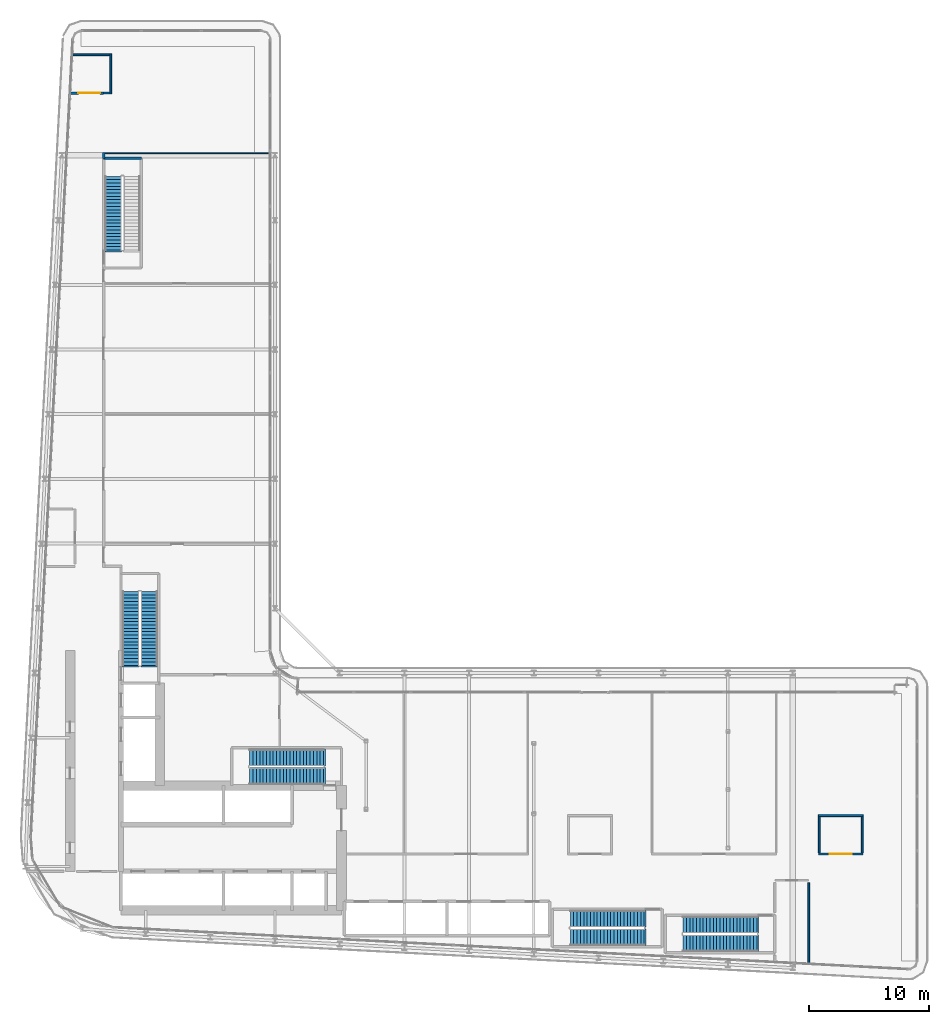
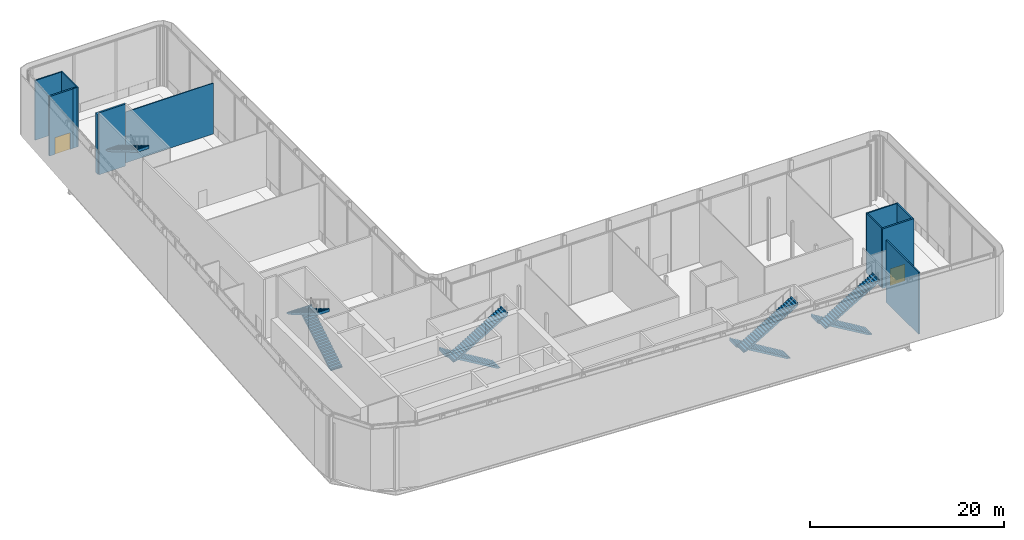
# One storey, part 29 of 37: 12 walls, 9 stair flights, 2 doors, 2 openings, 5 elements without a shape of their own.
"""IFC4 building model written with IfcOpenShell, lengths in metres."""

from ifc_helpers import new_model, si_unit, direction, frame, frame_2d, origin, place, context, subcontext, project, spatial, polyline, rectangle, outline, extrude, source, transform, mapped, material, layer, layer_set, type_object, element, fill, aggregate, save


model = new_model("IFC4")

# Units and contexts
model_context = context("Model", 3, precision=1e-05, world=origin(), true_north=direction((0.0, 1.0)))
body_context = subcontext(model_context, "Body", "Model", "MODEL_VIEW")
ifc_project = project(units=[si_unit("LENGTHUNIT", "METRE"), si_unit("AREAUNIT", "SQUARE_METRE"), si_unit("VOLUMEUNIT", "CUBIC_METRE"), si_unit("PLANEANGLEUNIT", "RADIAN"), si_unit("MASSUNIT", "GRAM", prefix="KILO")], contexts=[model_context])

# Site, building, storey
site_placement = place(None, origin())
site = spatial("IfcSite", under=ifc_project, at=site_placement, CompositionType="ELEMENT")
building_placement = place(site_placement, origin())
building = spatial("IfcBuilding", under=site, at=building_placement, Name="Kheshtan School and Residences Tower", CompositionType="ELEMENT")
storey_placement = place(building_placement, frame((0.0, 0.0, 144.800048828125)))
storey = spatial("IfcBuildingStorey", under=building, at=storey_placement, Name="L34", CompositionType="ELEMENT", Elevation=144.800048828125)

# Wall, opening, door
ifc_material_1 = material(Name="Gypsum board on steel studs with fire boards", Category="steel")
ifc_layer_1 = layer(ifc_material_1, 0.199951171875)
ifc_layer_set_1 = layer_set([ifc_layer_1], Name="Corridor wall 200")
wall_type_1 = type_object("IfcWallType", Name="Corridor wall 200", PredefinedType="PARTITIONING", material=ifc_layer_set_1)
wall_1_placement = place(storey_placement, frame((30.514892578125, 94.0, 0.0), z_axis=(0.0, 0.0, 1.0), x_axis=(1.0, 0.0, 0.0)))
wall_1 = element("IfcWall", 1, at=wall_1_placement, inside=storey, type_object=wall_type_1, Name="Partition L34-002", PredefinedType="PARTITIONING", context=body_context, shape_type="SweptSolid", body=[
    extrude(rectangle(XDim=2.78515625, YDim=0.199951171875, at=frame_2d((1.392578125, 0.0))), origin(), (0.0, 0.0, 1.0), 7.5),
])
opening_1_placement = place(wall_1_placement, frame((0.68310546875, 0.0, 0.0)))
opening_1 = element("IfcOpeningElement", 2, at=opening_1_placement, cuts=wall_1, Name="Opening D34-012", PredefinedType="OPENING", context=body_context, shape_type="SweptSolid", body=[
    extrude(rectangle(XDim=1.800048828125, YDim=2.10009765625, at=frame_2d((0.89990234375, 1.050048828125))), frame((0.0, 0.10986328125, 0.0), z_axis=(0.0, -1.0, 0.0), x_axis=(1.0, 0.0, 0.0)), (0.0, 0.0, 1.0), 0.219970703125),
])
ifc_material_2 = material(Name="Steel-framed fire-resisting door leaf", Category="steel")
door_type = type_object("IfcDoorType", Name="Fire double door FD60 1800 x 2100", OperationType="DOUBLE_DOOR_SINGLE_SWING", PredefinedType="DOOR", material=ifc_material_2)
shared_shape = source(origin(), body_context, "Body", "SweptSolid", [
    extrude(rectangle(XDim=1.800048828125, YDim=2.10009765625, at=frame_2d((0.89990234375, 1.050048828125))), frame((0.0, 0.02490234375, 0.0), z_axis=(0.0, -1.0, 0.0), x_axis=(1.0, 0.0, 0.0)), (0.0, 0.0, 1.0), 0.050048828125),
])
door_1_placement = place(opening_1_placement, origin())
door_1 = element("IfcDoor", 3, at=door_1_placement, inside=storey, type_object=door_type, Name="Door D34-012", OperationType="DOUBLE_DOOR_SINGLE_SWING", OverallHeight=2.10009765625, OverallWidth=1.800048828125, PredefinedType="DOOR", context=body_context, shape_type="MappedRepresentation", body=[
    mapped(shared_shape, transform((0.0, 0.0, 0.0), x_axis=(1.0, 0.0, 0.0), y_axis=(0.0, 1.0, 0.0), z_axis=(0.0, 0.0, 1.0), scale=1.0)),
])
fill(opening_1, door_1)

# Wall
wall_2_placement = place(storey_placement, frame((33.300048828125, 88.56005859375, 0.0), z_axis=(0.0, 0.0, 1.0), x_axis=(0.0, 1.0, 0.0)))
element("IfcWall", 4, at=wall_2_placement, inside=storey, type_object=wall_type_1, Name="Partition L34-004", PredefinedType="PARTITIONING", context=body_context, shape_type="SweptSolid", body=[
    extrude(rectangle(XDim=0.48095703125, YDim=0.199951171875, at=frame_2d((0.240478515625, 0.0))), origin(), (0.0, 0.0, 1.0), 7.5),
])

# Wall, opening, door
wall_3_placement = place(storey_placement, frame((92.94091796875, 30.5, 0.0), z_axis=(0.0, 0.0, 1.0), x_axis=(1.0, 0.0, 0.0)))
wall_3 = element("IfcWall", 5, at=wall_3_placement, inside=storey, type_object=wall_type_1, Name="Partition L34-027", PredefinedType="PARTITIONING", context=body_context, shape_type="SweptSolid", body=[
    extrude(rectangle(XDim=3.75, YDim=0.199951171875, at=frame_2d((1.875, 0.0))), origin(), (0.0, 0.0, 1.0), 7.5),
])
opening_2_placement = place(wall_3_placement, frame((0.97509765625, 0.0, 0.0)))
opening_2 = element("IfcOpeningElement", 6, at=opening_2_placement, cuts=wall_3, Name="Opening D34-005", PredefinedType="OPENING", context=body_context, shape_type="SweptSolid", body=[
    extrude(rectangle(XDim=1.800048828125, YDim=2.10009765625, at=frame_2d((0.89990234375, 1.050048828125))), frame((0.0, 0.10986328125, 0.0), z_axis=(0.0, -1.0, 0.0), x_axis=(1.0, 0.0, 0.0)), (0.0, 0.0, 1.0), 0.219970703125),
])
door_2_placement = place(opening_2_placement, origin())
door_2 = element("IfcDoor", 7, at=door_2_placement, inside=storey, type_object=door_type, Name="Door D34-005", OperationType="DOUBLE_DOOR_SINGLE_SWING", OverallHeight=2.10009765625, OverallWidth=1.800048828125, PredefinedType="DOOR", context=body_context, shape_type="MappedRepresentation", body=[
    mapped(shared_shape, transform((0.0, 0.0, 0.0), x_axis=(1.0, 0.0, 0.0), y_axis=(0.0, 1.0, 0.0), z_axis=(0.0, 0.0, 1.0), scale=1.0)),
])
fill(opening_2, door_2)

# Walls
ifc_material_3 = material(Name="Gypsum board on steel studs", Category="steel")
ifc_layer_2 = layer(ifc_material_3, 0.10009765625)
ifc_layer_set_2 = layer_set([ifc_layer_2], Name="Gypsum partition 100")
wall_type_2 = type_object("IfcWallType", Name="Gypsum partition 100", PredefinedType="PARTITIONING", material=ifc_layer_set_2)
wall_4_placement = place(storey_placement, frame((33.39990234375, 88.990966796875, 0.0), z_axis=(0.0, 0.0, 1.0), x_axis=(1.0, 0.0, 0.0)))
element("IfcWall", 8, at=wall_4_placement, inside=storey, type_object=wall_type_2, Name="Partition L34-010", PredefinedType="PARTITIONING", context=body_context, shape_type="SweptSolid", body=[
    extrude(rectangle(XDim=13.77001953125, YDim=0.10009765625, at=frame_2d((6.885009765625, 0.0))), origin(), (0.0, 0.0, 1.0), 6.39990234375),
])
ifc_material_4 = material(Name="Fire-board shaft wall system")
ifc_layer_3 = layer(ifc_material_4, 0.14990234375)
ifc_layer_set_3 = layer_set([ifc_layer_3], Name="Service room wall 150")
wall_type_3 = type_object("IfcWallType", Name="Service room wall 150", PredefinedType="PARTITIONING", material=ifc_layer_set_3)
wall_5_placement = place(storey_placement, frame((92.14306640625, 21.422119140625, 0.0), z_axis=(0.0, 0.0, 1.0), x_axis=(0.0, 1.0, 0.0)))
element("IfcWall", 9, at=wall_5_placement, inside=storey, type_object=wall_type_3, Name="Service room wall", PredefinedType="PARTITIONING", context=body_context, shape_type="SweptSolid", body=[
    extrude(rectangle(XDim=6.682861328125, YDim=0.14990234375, at=frame_2d((3.34130859375, 0.0))), origin(), (0.0, 0.0, 1.0), 7.800048828125),
])
ifc_material_5 = material(Name="Concrete C40/50", Category="concrete")
ifc_layer_4 = layer(ifc_material_5, 0.199951171875)
ifc_layer_set_4 = layer_set([ifc_layer_4], Name="Stair enclosure wall 200 Concrete C40/50")
wall_type_4 = type_object("IfcWallType", Name="Stair enclosure wall 200 Concrete C40/50", PredefinedType="SHEAR", material=ifc_layer_set_4)
wall_6_placement = place(storey_placement, frame((33.300048828125, 88.56005859375, 0.0), z_axis=(0.0, 0.0, 1.0), x_axis=(1.0, 0.0, 0.0)))
element("IfcWall", 10, at=wall_6_placement, inside=storey, type_object=wall_type_4, Name="Stair enclosure wall ST3", PredefinedType="SHEAR", context=body_context, shape_type="SweptSolid", body=[
    extrude(rectangle(XDim=3.14990234375, YDim=0.199951171875, at=frame_2d((1.574951171875, 0.0))), origin(), (0.0, 0.0, 1.0), 7.800048828125),
])
ifc_material_6 = material(Name="Moisture-resistant gypsum board on steel studs", Category="steel")
ifc_layer_5 = layer(ifc_material_6, 0.14990234375)
ifc_layer_set_5 = layer_set([ifc_layer_5], Name="Wet-room partition 150")
wall_type_5 = type_object("IfcWallType", Name="Wet-room partition 150", PredefinedType="PARTITIONING", material=ifc_layer_set_5)
wall_7_placement = place(storey_placement, frame((30.683349609375, 97.199951171875, 0.0), z_axis=(0.0, 0.0, 1.0), x_axis=(1.0, 0.0, 0.0)))
element("IfcWall", 11, at=wall_7_placement, inside=storey, type_object=wall_type_5, Name="Partition L34-001", PredefinedType="PARTITIONING", context=body_context, shape_type="SweptSolid", body=[
    extrude(rectangle(XDim=3.1396484375, YDim=0.14990234375, at=frame_2d((1.56982421875, 0.0))), origin(), (0.0, 0.0, 1.0), 7.5),
])
wall_8_placement = place(storey_placement, frame((33.300048828125, 94.0, 0.0), z_axis=(0.0, 0.0, 1.0), x_axis=(1.0, 0.0, 0.0)))
element("IfcWall", 12, at=wall_8_placement, inside=storey, type_object=wall_type_5, Name="Partition L34-005", PredefinedType="PARTITIONING", context=body_context, shape_type="SweptSolid", body=[
    extrude(rectangle(XDim=0.52294921875, YDim=0.14990234375, at=frame_2d((0.261474609375, 0.0))), origin(), (0.0, 0.0, 1.0), 7.5),
])
wall_9_placement = place(storey_placement, frame((33.89794921875, 93.925048828125, 0.0), z_axis=(0.0, 0.0, 1.0), x_axis=(0.0, 1.0, 0.0)))
element("IfcWall", 13, at=wall_9_placement, inside=storey, type_object=wall_type_5, Name="Partition L34-011", PredefinedType="PARTITIONING", context=body_context, shape_type="SweptSolid", body=[
    extrude(rectangle(XDim=3.349853515625, YDim=0.14990234375, at=frame_2d((1.6748046875, 0.0))), origin(), (0.0, 0.0, 1.0), 7.5),
])
wall_10_placement = place(storey_placement, frame((92.94091796875, 33.699951171875, 0.0), z_axis=(0.0, 0.0, 1.0), x_axis=(1.0, 0.0, 0.0)))
element("IfcWall", 14, at=wall_10_placement, inside=storey, type_object=wall_type_5, Name="Partition L34-028", PredefinedType="PARTITIONING", context=body_context, shape_type="SweptSolid", body=[
    extrude(rectangle(XDim=3.75, YDim=0.14990234375, at=frame_2d((1.875, 0.0))), origin(), (0.0, 0.0, 1.0), 7.5),
])
for number, where, z_axis, x_axis, name in (
    (15, (93.01611328125, 30.60009765625, 0.0), (0.0, 0.0, 1.0), (0.0, 1.0, 0.0), "Partition L34-029"),
    (16, (96.615966796875, 30.60009765625, 0.0), (0.0, 0.0, 1.0), (0.0, 1.0, 0.0), "Partition L34-030"),
):
    element("IfcWall", number, at=place(storey_placement, frame(where, z_axis=z_axis, x_axis=x_axis)), inside=storey, type_object=wall_type_5, Name=name, PredefinedType="PARTITIONING", context=body_context, shape_type="SweptSolid", body=[
        extrude(rectangle(XDim=3.02490234375, YDim=0.14990234375, at=frame_2d((1.512451171875, 0.0))), origin(), (0.0, 0.0, 1.0), 7.5),
    ])

# Stair, stair flights
stair_type = type_object("IfcStairType", Name="Exit stair, half-turn", PredefinedType="HALF_TURN_STAIR", material=ifc_material_5)
stair_1_placement = place(storey_placement, origin())
stair_1 = element("IfcStair", 17, at=stair_1_placement, inside=storey, type_object=stair_type, Name="L34 Protected Exit Stair ST1", PredefinedType="HALF_TURN_STAIR")
ifc_layer_6 = layer(ifc_material_5, 0.14990234375)
ifc_layer_set_6 = layer_set([ifc_layer_6], Name="Stair flight 1400 Concrete C40/50")
stair_flight_type = type_object("IfcStairFlightType", Name="Stair flight 1400 Concrete C40/50", PredefinedType="STRAIGHT", material=ifc_layer_set_6)
stair_flight_1_placement = place(storey_placement, frame((51.64990234375, 38.550048828125, 0.0), z_axis=(0.0, 0.0, 1.0), x_axis=(-1.0, 0.0, 0.0)))
stair_flight_1 = element("IfcStairFlight", 18, at=stair_flight_1_placement, type_object=stair_flight_type, Name="ST1 flight 1", NumberOfRisers=23, NumberOfTreads=22, PredefinedType="STRAIGHT", RiserHeight=0.169565217, TreadLength=0.28, context=body_context, shape_type="SweptSolid", body=[
    extrude(outline(polyline([(-0.14990234375, -0.10009765625), (-0.14990234375, 0.0), (0.0, 0.0), (0.0, 0.169677734375), (0.280029296875, 0.169677734375), (0.280029296875, 0.339111328125), (0.56005859375, 0.339111328125), (0.56005859375, 0.5087890625), (0.840087890625, 0.5087890625), (0.840087890625, 0.67822265625), (1.1201171875, 0.67822265625), (1.1201171875, 0.847900390625), (1.39990234375, 0.847900390625), (1.39990234375, 1.017333984375), (1.679931640625, 1.017333984375), (1.679931640625, 1.18701171875), (1.9599609375, 1.18701171875), (1.9599609375, 1.3564453125), (2.239990234375, 1.3564453125), (2.239990234375, 1.526123046875), (2.52001953125, 1.526123046875), (2.52001953125, 1.695556640625), (2.800048828125, 1.695556640625), (2.800048828125, 1.865234375), (3.080078125, 1.865234375), (3.080078125, 2.03466796875), (3.360107421875, 2.03466796875), (3.360107421875, 2.204345703125), (3.639892578125, 2.204345703125), (3.639892578125, 2.3740234375), (3.919921875, 2.3740234375), (3.919921875, 2.54345703125), (4.199951171875, 2.54345703125), (4.199951171875, 2.713134765625), (4.47998046875, 2.713134765625), (4.47998046875, 2.882568359375), (4.760009765625, 2.882568359375), (4.760009765625, 3.05224609375), (5.0400390625, 3.05224609375), (5.0400390625, 3.2216796875), (5.320068359375, 3.2216796875), (5.320068359375, 3.391357421875), (5.60009765625, 3.391357421875), (5.60009765625, 3.560791015625), (5.8798828125, 3.560791015625), (5.8798828125, 3.73046875), (6.159912109375, 3.73046875), (6.159912109375, 3.89990234375), (6.159912109375, 3.919921875), (6.309814453125, 3.919921875), (6.309814453125, 3.55517578125), (0.289306640625, 0.0), (-0.14990234375, -0.10009765625)])), frame((0.0, 0.699951171875, 0.0), z_axis=(0.0, -1.0, 0.0), x_axis=(1.0, 0.0, 0.0)), (0.0, 0.0, 1.0), 1.39990234375),
])
stair_flight_2_placement = place(storey_placement, frame((45.489990234375, 37.0, 3.89990234375), z_axis=(0.0, 0.0, 1.0), x_axis=(1.0, 0.0, 0.0)))
stair_flight_2 = element("IfcStairFlight", 19, at=stair_flight_2_placement, type_object=stair_flight_type, Name="ST1 flight 2", NumberOfRisers=23, NumberOfTreads=22, PredefinedType="STRAIGHT", RiserHeight=0.169565217, TreadLength=0.28, context=body_context, shape_type="SweptSolid", body=[
    extrude(outline(polyline([(-0.14990234375, -0.10009765625), (-0.14990234375, 0.0), (0.0, 0.0), (0.0, 0.169677734375), (0.280029296875, 0.169677734375), (0.280029296875, 0.339111328125), (0.56005859375, 0.339111328125), (0.56005859375, 0.5087890625), (0.840087890625, 0.5087890625), (0.840087890625, 0.67822265625), (1.1201171875, 0.67822265625), (1.1201171875, 0.847900390625), (1.39990234375, 0.847900390625), (1.39990234375, 1.017333984375), (1.679931640625, 1.017333984375), (1.679931640625, 1.18701171875), (1.9599609375, 1.18701171875), (1.9599609375, 1.3564453125), (2.239990234375, 1.3564453125), (2.239990234375, 1.526123046875), (2.52001953125, 1.526123046875), (2.52001953125, 1.695556640625), (2.800048828125, 1.695556640625), (2.800048828125, 1.865234375), (3.080078125, 1.865234375), (3.080078125, 2.03466796875), (3.360107421875, 2.03466796875), (3.360107421875, 2.204345703125), (3.639892578125, 2.204345703125), (3.639892578125, 2.3740234375), (3.919921875, 2.3740234375), (3.919921875, 2.54345703125), (4.199951171875, 2.54345703125), (4.199951171875, 2.713134765625), (4.47998046875, 2.713134765625), (4.47998046875, 2.882568359375), (4.760009765625, 2.882568359375), (4.760009765625, 3.05224609375), (5.0400390625, 3.05224609375), (5.0400390625, 3.2216796875), (5.320068359375, 3.2216796875), (5.320068359375, 3.391357421875), (5.60009765625, 3.391357421875), (5.60009765625, 3.560791015625), (5.8798828125, 3.560791015625), (5.8798828125, 3.73046875), (6.159912109375, 3.73046875), (6.159912109375, 3.89990234375), (6.159912109375, 3.919921875), (6.309814453125, 3.919921875), (6.309814453125, 3.55517578125), (0.289306640625, 0.0), (-0.14990234375, -0.10009765625)])), frame((0.0, 0.699951171875, 0.0), z_axis=(0.0, -1.0, 0.0), x_axis=(1.0, 0.0, 0.0)), (0.0, 0.0, 1.0), 1.39990234375),
])
aggregate(stair_1, [stair_flight_1, stair_flight_2])

stair_2_placement = place(storey_placement, origin())
stair_2 = element("IfcStair", 20, at=stair_2_placement, inside=storey, type_object=stair_type, Name="L34 Protected Exit Stair ST2", PredefinedType="HALF_TURN_STAIR")
stair_flight_3_placement = place(storey_placement, frame((37.10009765625, 46.25, 0.0), z_axis=(0.0, 0.0, 1.0), x_axis=(0.0, 1.0, 0.0)))
stair_flight_3 = element("IfcStairFlight", 21, at=stair_flight_3_placement, type_object=stair_flight_type, Name="ST2 flight 1", NumberOfRisers=23, NumberOfTreads=22, PredefinedType="STRAIGHT", RiserHeight=0.169565217, TreadLength=0.28, context=body_context, shape_type="SweptSolid", body=[
    extrude(outline(polyline([(-0.14990234375, -0.10009765625), (-0.14990234375, 0.0), (0.0, 0.0), (0.0, 0.169677734375), (0.280029296875, 0.169677734375), (0.280029296875, 0.339111328125), (0.56005859375, 0.339111328125), (0.56005859375, 0.5087890625), (0.840087890625, 0.5087890625), (0.840087890625, 0.67822265625), (1.1201171875, 0.67822265625), (1.1201171875, 0.847900390625), (1.39990234375, 0.847900390625), (1.39990234375, 1.017333984375), (1.679931640625, 1.017333984375), (1.679931640625, 1.18701171875), (1.9599609375, 1.18701171875), (1.9599609375, 1.3564453125), (2.239990234375, 1.3564453125), (2.239990234375, 1.526123046875), (2.52001953125, 1.526123046875), (2.52001953125, 1.695556640625), (2.800048828125, 1.695556640625), (2.800048828125, 1.865234375), (3.080078125, 1.865234375), (3.080078125, 2.03466796875), (3.360107421875, 2.03466796875), (3.360107421875, 2.204345703125), (3.639892578125, 2.204345703125), (3.639892578125, 2.3740234375), (3.919921875, 2.3740234375), (3.919921875, 2.54345703125), (4.199951171875, 2.54345703125), (4.199951171875, 2.713134765625), (4.47998046875, 2.713134765625), (4.47998046875, 2.882568359375), (4.760009765625, 2.882568359375), (4.760009765625, 3.05224609375), (5.0400390625, 3.05224609375), (5.0400390625, 3.2216796875), (5.320068359375, 3.2216796875), (5.320068359375, 3.391357421875), (5.60009765625, 3.391357421875), (5.60009765625, 3.560791015625), (5.8798828125, 3.560791015625), (5.8798828125, 3.73046875), (6.159912109375, 3.73046875), (6.159912109375, 3.89990234375), (6.159912109375, 3.919921875), (6.309814453125, 3.919921875), (6.309814453125, 3.55517578125), (0.289306640625, 0.0), (-0.14990234375, -0.10009765625)])), frame((0.0, 0.699951171875, 0.0), z_axis=(0.0, -1.0, 0.0), x_axis=(1.0, 0.0, 0.0)), (0.0, 0.0, 1.0), 1.39990234375),
])
stair_flight_4_placement = place(storey_placement, frame((35.550048828125, 52.409912109375, 3.89990234375), z_axis=(0.0, 0.0, 1.0), x_axis=(0.0, -1.0, 0.0)))
stair_flight_4 = element("IfcStairFlight", 22, at=stair_flight_4_placement, type_object=stair_flight_type, Name="ST2 flight 2", NumberOfRisers=23, NumberOfTreads=22, PredefinedType="STRAIGHT", RiserHeight=0.169565217, TreadLength=0.28, context=body_context, shape_type="SweptSolid", body=[
    extrude(outline(polyline([(-0.14990234375, -0.10009765625), (-0.14990234375, 0.0), (0.0, 0.0), (0.0, 0.169677734375), (0.280029296875, 0.169677734375), (0.280029296875, 0.339111328125), (0.56005859375, 0.339111328125), (0.56005859375, 0.5087890625), (0.840087890625, 0.5087890625), (0.840087890625, 0.67822265625), (1.1201171875, 0.67822265625), (1.1201171875, 0.847900390625), (1.39990234375, 0.847900390625), (1.39990234375, 1.017333984375), (1.679931640625, 1.017333984375), (1.679931640625, 1.18701171875), (1.9599609375, 1.18701171875), (1.9599609375, 1.3564453125), (2.239990234375, 1.3564453125), (2.239990234375, 1.526123046875), (2.52001953125, 1.526123046875), (2.52001953125, 1.695556640625), (2.800048828125, 1.695556640625), (2.800048828125, 1.865234375), (3.080078125, 1.865234375), (3.080078125, 2.03466796875), (3.360107421875, 2.03466796875), (3.360107421875, 2.204345703125), (3.639892578125, 2.204345703125), (3.639892578125, 2.3740234375), (3.919921875, 2.3740234375), (3.919921875, 2.54345703125), (4.199951171875, 2.54345703125), (4.199951171875, 2.713134765625), (4.47998046875, 2.713134765625), (4.47998046875, 2.882568359375), (4.760009765625, 2.882568359375), (4.760009765625, 3.05224609375), (5.0400390625, 3.05224609375), (5.0400390625, 3.2216796875), (5.320068359375, 3.2216796875), (5.320068359375, 3.391357421875), (5.60009765625, 3.391357421875), (5.60009765625, 3.560791015625), (5.8798828125, 3.560791015625), (5.8798828125, 3.73046875), (6.159912109375, 3.73046875), (6.159912109375, 3.89990234375), (6.159912109375, 3.919921875), (6.309814453125, 3.919921875), (6.309814453125, 3.55517578125), (0.289306640625, 0.0), (-0.14990234375, -0.10009765625)])), frame((0.0, 0.699951171875, 0.0), z_axis=(0.0, -1.0, 0.0), x_axis=(1.0, 0.0, 0.0)), (0.0, 0.0, 1.0), 1.39990234375),
])
aggregate(stair_2, [stair_flight_3, stair_flight_4])

# Stair, stair flight
stair_3_placement = place(storey_placement, origin())
stair_3 = element("IfcStair", 23, at=stair_3_placement, inside=storey, type_object=stair_type, Name="L34 Protected Exit Stair ST3", PredefinedType="HALF_TURN_STAIR")
stair_flight_5_placement = place(storey_placement, frame((34.10009765625, 87.06005859375, 3.89990234375), z_axis=(0.0, 0.0, 1.0), x_axis=(0.0, -1.0, 0.0)))
stair_flight_5 = element("IfcStairFlight", 24, at=stair_flight_5_placement, type_object=stair_flight_type, Name="ST3 flight 2", NumberOfRisers=23, NumberOfTreads=22, PredefinedType="STRAIGHT", RiserHeight=0.169565217, TreadLength=0.28, context=body_context, shape_type="SweptSolid", body=[
    extrude(outline(polyline([(-0.14990234375, -0.10009765625), (-0.14990234375, 0.0), (0.0, 0.0), (0.0, 0.169677734375), (0.280029296875, 0.169677734375), (0.280029296875, 0.339111328125), (0.56005859375, 0.339111328125), (0.56005859375, 0.5087890625), (0.840087890625, 0.5087890625), (0.840087890625, 0.67822265625), (1.1201171875, 0.67822265625), (1.1201171875, 0.847900390625), (1.39990234375, 0.847900390625), (1.39990234375, 1.017333984375), (1.679931640625, 1.017333984375), (1.679931640625, 1.18701171875), (1.9599609375, 1.18701171875), (1.9599609375, 1.3564453125), (2.239990234375, 1.3564453125), (2.239990234375, 1.526123046875), (2.52001953125, 1.526123046875), (2.52001953125, 1.695556640625), (2.800048828125, 1.695556640625), (2.800048828125, 1.865234375), (3.080078125, 1.865234375), (3.080078125, 2.03466796875), (3.360107421875, 2.03466796875), (3.360107421875, 2.204345703125), (3.639892578125, 2.204345703125), (3.639892578125, 2.3740234375), (3.919921875, 2.3740234375), (3.919921875, 2.54345703125), (4.199951171875, 2.54345703125), (4.199951171875, 2.713134765625), (4.47998046875, 2.713134765625), (4.47998046875, 2.882568359375), (4.760009765625, 2.882568359375), (4.760009765625, 3.05224609375), (5.0400390625, 3.05224609375), (5.0400390625, 3.2216796875), (5.320068359375, 3.2216796875), (5.320068359375, 3.391357421875), (5.60009765625, 3.391357421875), (5.60009765625, 3.560791015625), (5.8798828125, 3.560791015625), (5.8798828125, 3.73046875), (6.159912109375, 3.73046875), (6.159912109375, 3.89990234375), (6.159912109375, 3.919921875), (6.309814453125, 3.919921875), (6.309814453125, 3.55517578125), (0.289306640625, 0.0), (-0.14990234375, -0.10009765625)])), frame((0.0, 0.699951171875, 0.0), z_axis=(0.0, -1.0, 0.0), x_axis=(1.0, 0.0, 0.0)), (0.0, 0.0, 1.0), 1.39990234375),
])
aggregate(stair_3, [stair_flight_5])

# Stair, stair flights
stair_4_placement = place(storey_placement, origin())
stair_4 = element("IfcStair", 25, at=stair_4_placement, inside=storey, type_object=stair_type, Name="L34 Protected Exit Stair ST4", PredefinedType="HALF_TURN_STAIR")
stair_flight_6_placement = place(storey_placement, frame((87.820068359375, 24.60009765625, 0.0), z_axis=(0.0, 0.0, 1.0), x_axis=(-1.0, 0.0, 0.0)))
stair_flight_6 = element("IfcStairFlight", 26, at=stair_flight_6_placement, type_object=stair_flight_type, Name="ST4 flight 1", NumberOfRisers=23, NumberOfTreads=22, PredefinedType="STRAIGHT", RiserHeight=0.169565217, TreadLength=0.28, context=body_context, shape_type="SweptSolid", body=[
    extrude(outline(polyline([(-0.14990234375, -0.10009765625), (-0.14990234375, 0.0), (0.0, 0.0), (0.0, 0.169677734375), (0.280029296875, 0.169677734375), (0.280029296875, 0.339111328125), (0.56005859375, 0.339111328125), (0.56005859375, 0.5087890625), (0.840087890625, 0.5087890625), (0.840087890625, 0.67822265625), (1.1201171875, 0.67822265625), (1.1201171875, 0.847900390625), (1.39990234375, 0.847900390625), (1.39990234375, 1.017333984375), (1.679931640625, 1.017333984375), (1.679931640625, 1.18701171875), (1.9599609375, 1.18701171875), (1.9599609375, 1.3564453125), (2.239990234375, 1.3564453125), (2.239990234375, 1.526123046875), (2.52001953125, 1.526123046875), (2.52001953125, 1.695556640625), (2.800048828125, 1.695556640625), (2.800048828125, 1.865234375), (3.080078125, 1.865234375), (3.080078125, 2.03466796875), (3.360107421875, 2.03466796875), (3.360107421875, 2.204345703125), (3.639892578125, 2.204345703125), (3.639892578125, 2.3740234375), (3.919921875, 2.3740234375), (3.919921875, 2.54345703125), (4.199951171875, 2.54345703125), (4.199951171875, 2.713134765625), (4.47998046875, 2.713134765625), (4.47998046875, 2.882568359375), (4.760009765625, 2.882568359375), (4.760009765625, 3.05224609375), (5.0400390625, 3.05224609375), (5.0400390625, 3.2216796875), (5.320068359375, 3.2216796875), (5.320068359375, 3.391357421875), (5.60009765625, 3.391357421875), (5.60009765625, 3.560791015625), (5.8798828125, 3.560791015625), (5.8798828125, 3.73046875), (6.159912109375, 3.73046875), (6.159912109375, 3.89990234375), (6.159912109375, 3.919921875), (6.309814453125, 3.919921875), (6.309814453125, 3.55517578125), (0.289306640625, 0.0), (-0.14990234375, -0.10009765625)])), frame((0.0, 0.699951171875, 0.0), z_axis=(0.0, -1.0, 0.0), x_axis=(1.0, 0.0, 0.0)), (0.0, 0.0, 1.0), 1.39990234375),
])
stair_flight_7_placement = place(storey_placement, frame((81.659912109375, 23.050048828125, 3.89990234375), z_axis=(0.0, 0.0, 1.0), x_axis=(1.0, 0.0, 0.0)))
stair_flight_7 = element("IfcStairFlight", 27, at=stair_flight_7_placement, type_object=stair_flight_type, Name="ST4 flight 2", NumberOfRisers=23, NumberOfTreads=22, PredefinedType="STRAIGHT", RiserHeight=0.169565217, TreadLength=0.28, context=body_context, shape_type="SweptSolid", body=[
    extrude(outline(polyline([(-0.14990234375, -0.10009765625), (-0.14990234375, 0.0), (0.0, 0.0), (0.0, 0.169677734375), (0.280029296875, 0.169677734375), (0.280029296875, 0.339111328125), (0.56005859375, 0.339111328125), (0.56005859375, 0.5087890625), (0.840087890625, 0.5087890625), (0.840087890625, 0.67822265625), (1.1201171875, 0.67822265625), (1.1201171875, 0.847900390625), (1.39990234375, 0.847900390625), (1.39990234375, 1.017333984375), (1.679931640625, 1.017333984375), (1.679931640625, 1.18701171875), (1.9599609375, 1.18701171875), (1.9599609375, 1.3564453125), (2.239990234375, 1.3564453125), (2.239990234375, 1.526123046875), (2.52001953125, 1.526123046875), (2.52001953125, 1.695556640625), (2.800048828125, 1.695556640625), (2.800048828125, 1.865234375), (3.080078125, 1.865234375), (3.080078125, 2.03466796875), (3.360107421875, 2.03466796875), (3.360107421875, 2.204345703125), (3.639892578125, 2.204345703125), (3.639892578125, 2.3740234375), (3.919921875, 2.3740234375), (3.919921875, 2.54345703125), (4.199951171875, 2.54345703125), (4.199951171875, 2.713134765625), (4.47998046875, 2.713134765625), (4.47998046875, 2.882568359375), (4.760009765625, 2.882568359375), (4.760009765625, 3.05224609375), (5.0400390625, 3.05224609375), (5.0400390625, 3.2216796875), (5.320068359375, 3.2216796875), (5.320068359375, 3.391357421875), (5.60009765625, 3.391357421875), (5.60009765625, 3.560791015625), (5.8798828125, 3.560791015625), (5.8798828125, 3.73046875), (6.159912109375, 3.73046875), (6.159912109375, 3.89990234375), (6.159912109375, 3.919921875), (6.309814453125, 3.919921875), (6.309814453125, 3.55517578125), (0.289306640625, 0.0), (-0.14990234375, -0.10009765625)])), frame((0.0, 0.699951171875, 0.0), z_axis=(0.0, -1.0, 0.0), x_axis=(1.0, 0.0, 0.0)), (0.0, 0.0, 1.0), 1.39990234375),
])
aggregate(stair_4, [stair_flight_6, stair_flight_7])

stair_5_placement = place(storey_placement, origin())
stair_5 = element("IfcStair", 28, at=stair_5_placement, inside=storey, type_object=stair_type, Name="L34 Protected Exit Stair ST5", PredefinedType="HALF_TURN_STAIR")
stair_flight_8_placement = place(storey_placement, frame((78.409912109375, 25.10009765625, 0.0), z_axis=(0.0, 0.0, 1.0), x_axis=(-1.0, 0.0, 0.0)))
stair_flight_8 = element("IfcStairFlight", 29, at=stair_flight_8_placement, type_object=stair_flight_type, Name="ST5 flight 1", NumberOfRisers=23, NumberOfTreads=22, PredefinedType="STRAIGHT", RiserHeight=0.169565217, TreadLength=0.28, context=body_context, shape_type="SweptSolid", body=[
    extrude(outline(polyline([(-0.14990234375, -0.10009765625), (-0.14990234375, 0.0), (0.0, 0.0), (0.0, 0.169677734375), (0.280029296875, 0.169677734375), (0.280029296875, 0.339111328125), (0.56005859375, 0.339111328125), (0.56005859375, 0.5087890625), (0.840087890625, 0.5087890625), (0.840087890625, 0.67822265625), (1.1201171875, 0.67822265625), (1.1201171875, 0.847900390625), (1.39990234375, 0.847900390625), (1.39990234375, 1.017333984375), (1.679931640625, 1.017333984375), (1.679931640625, 1.18701171875), (1.9599609375, 1.18701171875), (1.9599609375, 1.3564453125), (2.239990234375, 1.3564453125), (2.239990234375, 1.526123046875), (2.52001953125, 1.526123046875), (2.52001953125, 1.695556640625), (2.800048828125, 1.695556640625), (2.800048828125, 1.865234375), (3.080078125, 1.865234375), (3.080078125, 2.03466796875), (3.360107421875, 2.03466796875), (3.360107421875, 2.204345703125), (3.639892578125, 2.204345703125), (3.639892578125, 2.3740234375), (3.919921875, 2.3740234375), (3.919921875, 2.54345703125), (4.199951171875, 2.54345703125), (4.199951171875, 2.713134765625), (4.47998046875, 2.713134765625), (4.47998046875, 2.882568359375), (4.760009765625, 2.882568359375), (4.760009765625, 3.05224609375), (5.0400390625, 3.05224609375), (5.0400390625, 3.2216796875), (5.320068359375, 3.2216796875), (5.320068359375, 3.391357421875), (5.60009765625, 3.391357421875), (5.60009765625, 3.560791015625), (5.8798828125, 3.560791015625), (5.8798828125, 3.73046875), (6.159912109375, 3.73046875), (6.159912109375, 3.89990234375), (6.159912109375, 3.919921875), (6.309814453125, 3.919921875), (6.309814453125, 3.55517578125), (0.289306640625, 0.0), (-0.14990234375, -0.10009765625)])), frame((0.0, 0.699951171875, 0.0), z_axis=(0.0, -1.0, 0.0), x_axis=(1.0, 0.0, 0.0)), (0.0, 0.0, 1.0), 1.39990234375),
])
stair_flight_9_placement = place(storey_placement, frame((72.25, 23.550048828125, 3.89990234375), z_axis=(0.0, 0.0, 1.0), x_axis=(1.0, 0.0, 0.0)))
stair_flight_9 = element("IfcStairFlight", 30, at=stair_flight_9_placement, type_object=stair_flight_type, Name="ST5 flight 2", NumberOfRisers=23, NumberOfTreads=22, PredefinedType="STRAIGHT", RiserHeight=0.169565217, TreadLength=0.28, context=body_context, shape_type="SweptSolid", body=[
    extrude(outline(polyline([(-0.14990234375, -0.10009765625), (-0.14990234375, 0.0), (0.0, 0.0), (0.0, 0.169677734375), (0.280029296875, 0.169677734375), (0.280029296875, 0.339111328125), (0.56005859375, 0.339111328125), (0.56005859375, 0.5087890625), (0.840087890625, 0.5087890625), (0.840087890625, 0.67822265625), (1.1201171875, 0.67822265625), (1.1201171875, 0.847900390625), (1.39990234375, 0.847900390625), (1.39990234375, 1.017333984375), (1.679931640625, 1.017333984375), (1.679931640625, 1.18701171875), (1.9599609375, 1.18701171875), (1.9599609375, 1.3564453125), (2.239990234375, 1.3564453125), (2.239990234375, 1.526123046875), (2.52001953125, 1.526123046875), (2.52001953125, 1.695556640625), (2.800048828125, 1.695556640625), (2.800048828125, 1.865234375), (3.080078125, 1.865234375), (3.080078125, 2.03466796875), (3.360107421875, 2.03466796875), (3.360107421875, 2.204345703125), (3.639892578125, 2.204345703125), (3.639892578125, 2.3740234375), (3.919921875, 2.3740234375), (3.919921875, 2.54345703125), (4.199951171875, 2.54345703125), (4.199951171875, 2.713134765625), (4.47998046875, 2.713134765625), (4.47998046875, 2.882568359375), (4.760009765625, 2.882568359375), (4.760009765625, 3.05224609375), (5.0400390625, 3.05224609375), (5.0400390625, 3.2216796875), (5.320068359375, 3.2216796875), (5.320068359375, 3.391357421875), (5.60009765625, 3.391357421875), (5.60009765625, 3.560791015625), (5.8798828125, 3.560791015625), (5.8798828125, 3.73046875), (6.159912109375, 3.73046875), (6.159912109375, 3.89990234375), (6.159912109375, 3.919921875), (6.309814453125, 3.919921875), (6.309814453125, 3.55517578125), (0.289306640625, 0.0), (-0.14990234375, -0.10009765625)])), frame((0.0, 0.699951171875, 0.0), z_axis=(0.0, -1.0, 0.0), x_axis=(1.0, 0.0, 0.0)), (0.0, 0.0, 1.0), 1.39990234375),
])
aggregate(stair_5, [stair_flight_8, stair_flight_9])

save(model, "model.ifc")
